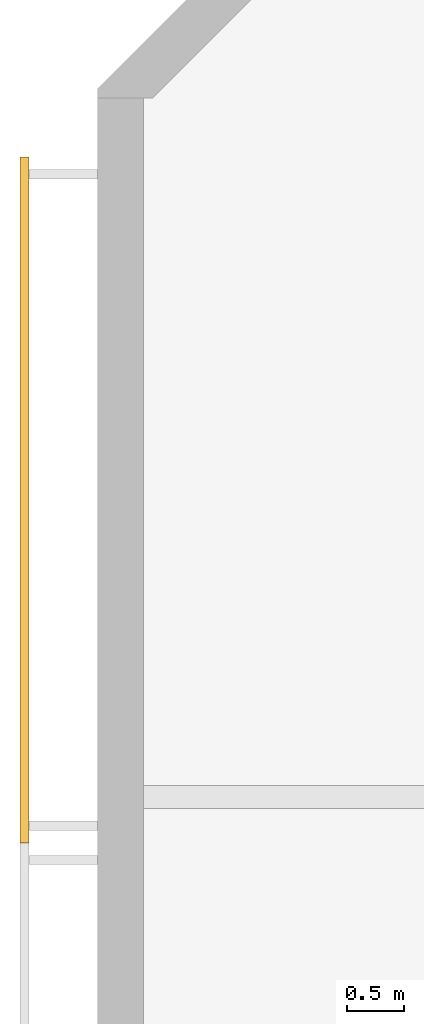
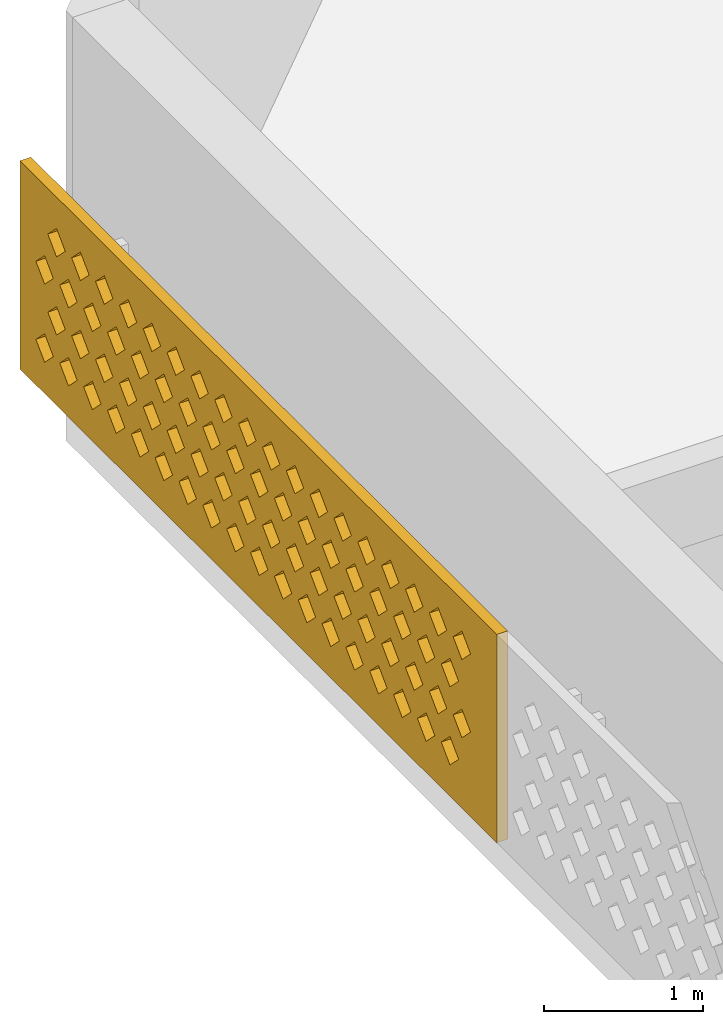
# One storey, part 12 of 18: 1 covering.
"""IFC4 building model written with IfcOpenShell, lengths in metres."""

from ifc_helpers import new_model, si_unit, direction, frame, origin, place, context, subcontext, project, spatial, polyline, outline, extrude, source, transform, mapped, material, material_profile, profile_set, type_object, element, save


model = new_model("IFC4")

# Units and contexts
model_context = context("Model", 3, precision=1e-05, world=origin(), true_north=direction((0.0, 1.0)))
body_context = subcontext(model_context, "Body", "Model", "MODEL_VIEW")
ifc_project = project(units=[si_unit("LENGTHUNIT", "METRE"), si_unit("AREAUNIT", "SQUARE_METRE"), si_unit("VOLUMEUNIT", "CUBIC_METRE"), si_unit("PLANEANGLEUNIT", "RADIAN"), si_unit("MASSUNIT", "GRAM", prefix="KILO")], contexts=[model_context])

# Site, building, storey
site_placement = place(None, origin())
site = spatial("IfcSite", under=ifc_project, at=site_placement, CompositionType="ELEMENT")
building_placement = place(site_placement, origin())
building = spatial("IfcBuilding", under=site, at=building_placement, Name="Poui Terraces", CompositionType="ELEMENT")
storey_placement = place(building_placement, frame((0.0, 0.0, 279.0)))
storey = spatial("IfcBuildingStorey", under=building, at=storey_placement, Name="L77 CROWN", CompositionType="ELEMENT", Elevation=279.0)

# Covering
ifc_material = material(Name="Terracotta screen", Category="masonry")
ifc_material_profile = material_profile(ifc_material, outline(polyline([(-3.0, -0.800048828125), (3.0, -0.800048828125), (3.0, 0.800048828125), (-3.0, 0.800048828125), (-3.0, -0.800048828125)]), holes=[polyline([(-2.800048828125, -0.449951171875), (-2.68994140625, -0.56005859375), (-2.580078125, -0.449951171875), (-2.68994140625, -0.340087890625), (-2.800048828125, -0.449951171875)]), polyline([(-2.5, -0.449951171875), (-2.389892578125, -0.56005859375), (-2.280029296875, -0.449951171875), (-2.389892578125, -0.340087890625), (-2.5, -0.449951171875)]), polyline([(-2.199951171875, -0.449951171875), (-2.090087890625, -0.56005859375), (-1.97998046875, -0.449951171875), (-2.090087890625, -0.340087890625), (-2.199951171875, -0.449951171875)]), polyline([(-1.89990234375, -0.449951171875), (-1.7900390625, -0.56005859375), (-1.679931640625, -0.449951171875), (-1.7900390625, -0.340087890625), (-1.89990234375, -0.449951171875)]), polyline([(-1.60009765625, -0.449951171875), (-1.489990234375, -0.56005859375), (-1.3798828125, -0.449951171875), (-1.489990234375, -0.340087890625), (-1.60009765625, -0.449951171875)]), polyline([(-1.300048828125, -0.449951171875), (-1.18994140625, -0.56005859375), (-1.080078125, -0.449951171875), (-1.18994140625, -0.340087890625), (-1.300048828125, -0.449951171875)]), polyline([(-1.0, -0.449951171875), (-0.889892578125, -0.56005859375), (-0.780029296875, -0.449951171875), (-0.889892578125, -0.340087890625), (-1.0, -0.449951171875)]), polyline([(-0.699951171875, -0.449951171875), (-0.590087890625, -0.56005859375), (-0.47998046875, -0.449951171875), (-0.590087890625, -0.340087890625), (-0.699951171875, -0.449951171875)]), polyline([(-0.39990234375, -0.449951171875), (-0.2900390625, -0.56005859375), (-0.179931640625, -0.449951171875), (-0.2900390625, -0.340087890625), (-0.39990234375, -0.449951171875)]), polyline([(-0.10009765625, -0.449951171875), (0.010009765625, -0.56005859375), (0.1201171875, -0.449951171875), (0.010009765625, -0.340087890625), (-0.10009765625, -0.449951171875)]), polyline([(0.199951171875, -0.449951171875), (0.31005859375, -0.56005859375), (0.419921875, -0.449951171875), (0.31005859375, -0.340087890625), (0.199951171875, -0.449951171875)]), polyline([(0.5, -0.449951171875), (0.610107421875, -0.56005859375), (0.719970703125, -0.449951171875), (0.610107421875, -0.340087890625), (0.5, -0.449951171875)]), polyline([(0.800048828125, -0.449951171875), (0.909912109375, -0.56005859375), (1.02001953125, -0.449951171875), (0.909912109375, -0.340087890625), (0.800048828125, -0.449951171875)]), polyline([(1.10009765625, -0.449951171875), (1.2099609375, -0.56005859375), (1.320068359375, -0.449951171875), (1.2099609375, -0.340087890625), (1.10009765625, -0.449951171875)]), polyline([(1.39990234375, -0.449951171875), (1.510009765625, -0.56005859375), (1.6201171875, -0.449951171875), (1.510009765625, -0.340087890625), (1.39990234375, -0.449951171875)]), polyline([(1.699951171875, -0.449951171875), (1.81005859375, -0.56005859375), (1.919921875, -0.449951171875), (1.81005859375, -0.340087890625), (1.699951171875, -0.449951171875)]), polyline([(2.0, -0.449951171875), (2.110107421875, -0.56005859375), (2.219970703125, -0.449951171875), (2.110107421875, -0.340087890625), (2.0, -0.449951171875)]), polyline([(2.300048828125, -0.449951171875), (2.409912109375, -0.56005859375), (2.52001953125, -0.449951171875), (2.409912109375, -0.340087890625), (2.300048828125, -0.449951171875)]), polyline([(-2.64990234375, -0.14990234375), (-2.5400390625, -0.260009765625), (-2.429931640625, -0.14990234375), (-2.5400390625, -0.0400390625), (-2.64990234375, -0.14990234375)]), polyline([(-2.35009765625, -0.14990234375), (-2.239990234375, -0.260009765625), (-2.1298828125, -0.14990234375), (-2.239990234375, -0.0400390625), (-2.35009765625, -0.14990234375)]), polyline([(-2.050048828125, -0.14990234375), (-1.93994140625, -0.260009765625), (-1.830078125, -0.14990234375), (-1.93994140625, -0.0400390625), (-2.050048828125, -0.14990234375)]), polyline([(-1.75, -0.14990234375), (-1.639892578125, -0.260009765625), (-1.530029296875, -0.14990234375), (-1.639892578125, -0.0400390625), (-1.75, -0.14990234375)]), polyline([(-1.449951171875, -0.14990234375), (-1.340087890625, -0.260009765625), (-1.22998046875, -0.14990234375), (-1.340087890625, -0.0400390625), (-1.449951171875, -0.14990234375)]), polyline([(-1.14990234375, -0.14990234375), (-1.0400390625, -0.260009765625), (-0.929931640625, -0.14990234375), (-1.0400390625, -0.0400390625), (-1.14990234375, -0.14990234375)]), polyline([(-0.85009765625, -0.14990234375), (-0.739990234375, -0.260009765625), (-0.6298828125, -0.14990234375), (-0.739990234375, -0.0400390625), (-0.85009765625, -0.14990234375)]), polyline([(-0.550048828125, -0.14990234375), (-0.43994140625, -0.260009765625), (-0.330078125, -0.14990234375), (-0.43994140625, -0.0400390625), (-0.550048828125, -0.14990234375)]), polyline([(-0.25, -0.14990234375), (-0.139892578125, -0.260009765625), (-0.030029296875, -0.14990234375), (-0.139892578125, -0.0400390625), (-0.25, -0.14990234375)]), polyline([(0.050048828125, -0.14990234375), (0.159912109375, -0.260009765625), (0.27001953125, -0.14990234375), (0.159912109375, -0.0400390625), (0.050048828125, -0.14990234375)]), polyline([(0.35009765625, -0.14990234375), (0.4599609375, -0.260009765625), (0.570068359375, -0.14990234375), (0.4599609375, -0.0400390625), (0.35009765625, -0.14990234375)]), polyline([(0.64990234375, -0.14990234375), (0.760009765625, -0.260009765625), (0.8701171875, -0.14990234375), (0.760009765625, -0.0400390625), (0.64990234375, -0.14990234375)]), polyline([(0.949951171875, -0.14990234375), (1.06005859375, -0.260009765625), (1.169921875, -0.14990234375), (1.06005859375, -0.0400390625), (0.949951171875, -0.14990234375)]), polyline([(1.25, -0.14990234375), (1.360107421875, -0.260009765625), (1.469970703125, -0.14990234375), (1.360107421875, -0.0400390625), (1.25, -0.14990234375)]), polyline([(1.550048828125, -0.14990234375), (1.659912109375, -0.260009765625), (1.77001953125, -0.14990234375), (1.659912109375, -0.0400390625), (1.550048828125, -0.14990234375)]), polyline([(1.85009765625, -0.14990234375), (1.9599609375, -0.260009765625), (2.070068359375, -0.14990234375), (1.9599609375, -0.0400390625), (1.85009765625, -0.14990234375)]), polyline([(2.14990234375, -0.14990234375), (2.260009765625, -0.260009765625), (2.3701171875, -0.14990234375), (2.260009765625, -0.0400390625), (2.14990234375, -0.14990234375)]), polyline([(2.449951171875, -0.14990234375), (2.56005859375, -0.260009765625), (2.669921875, -0.14990234375), (2.56005859375, -0.0400390625), (2.449951171875, -0.14990234375)]), polyline([(-2.800048828125, 0.14990234375), (-2.68994140625, 0.0400390625), (-2.580078125, 0.14990234375), (-2.68994140625, 0.260009765625), (-2.800048828125, 0.14990234375)]), polyline([(-2.5, 0.14990234375), (-2.389892578125, 0.0400390625), (-2.280029296875, 0.14990234375), (-2.389892578125, 0.260009765625), (-2.5, 0.14990234375)]), polyline([(-2.199951171875, 0.14990234375), (-2.090087890625, 0.0400390625), (-1.97998046875, 0.14990234375), (-2.090087890625, 0.260009765625), (-2.199951171875, 0.14990234375)]), polyline([(-1.89990234375, 0.14990234375), (-1.7900390625, 0.0400390625), (-1.679931640625, 0.14990234375), (-1.7900390625, 0.260009765625), (-1.89990234375, 0.14990234375)]), polyline([(-1.60009765625, 0.14990234375), (-1.489990234375, 0.0400390625), (-1.3798828125, 0.14990234375), (-1.489990234375, 0.260009765625), (-1.60009765625, 0.14990234375)]), polyline([(-1.300048828125, 0.14990234375), (-1.18994140625, 0.0400390625), (-1.080078125, 0.14990234375), (-1.18994140625, 0.260009765625), (-1.300048828125, 0.14990234375)]), polyline([(-1.0, 0.14990234375), (-0.889892578125, 0.0400390625), (-0.780029296875, 0.14990234375), (-0.889892578125, 0.260009765625), (-1.0, 0.14990234375)]), polyline([(-0.699951171875, 0.14990234375), (-0.590087890625, 0.0400390625), (-0.47998046875, 0.14990234375), (-0.590087890625, 0.260009765625), (-0.699951171875, 0.14990234375)]), polyline([(-0.39990234375, 0.14990234375), (-0.2900390625, 0.0400390625), (-0.179931640625, 0.14990234375), (-0.2900390625, 0.260009765625), (-0.39990234375, 0.14990234375)]), polyline([(-0.10009765625, 0.14990234375), (0.010009765625, 0.0400390625), (0.1201171875, 0.14990234375), (0.010009765625, 0.260009765625), (-0.10009765625, 0.14990234375)]), polyline([(0.199951171875, 0.14990234375), (0.31005859375, 0.0400390625), (0.419921875, 0.14990234375), (0.31005859375, 0.260009765625), (0.199951171875, 0.14990234375)]), polyline([(0.5, 0.14990234375), (0.610107421875, 0.0400390625), (0.719970703125, 0.14990234375), (0.610107421875, 0.260009765625), (0.5, 0.14990234375)]), polyline([(0.800048828125, 0.14990234375), (0.909912109375, 0.0400390625), (1.02001953125, 0.14990234375), (0.909912109375, 0.260009765625), (0.800048828125, 0.14990234375)]), polyline([(1.10009765625, 0.14990234375), (1.2099609375, 0.0400390625), (1.320068359375, 0.14990234375), (1.2099609375, 0.260009765625), (1.10009765625, 0.14990234375)]), polyline([(1.39990234375, 0.14990234375), (1.510009765625, 0.0400390625), (1.6201171875, 0.14990234375), (1.510009765625, 0.260009765625), (1.39990234375, 0.14990234375)]), polyline([(1.699951171875, 0.14990234375), (1.81005859375, 0.0400390625), (1.919921875, 0.14990234375), (1.81005859375, 0.260009765625), (1.699951171875, 0.14990234375)]), polyline([(2.0, 0.14990234375), (2.110107421875, 0.0400390625), (2.219970703125, 0.14990234375), (2.110107421875, 0.260009765625), (2.0, 0.14990234375)]), polyline([(2.300048828125, 0.14990234375), (2.409912109375, 0.0400390625), (2.52001953125, 0.14990234375), (2.409912109375, 0.260009765625), (2.300048828125, 0.14990234375)]), polyline([(-2.64990234375, 0.449951171875), (-2.5400390625, 0.340087890625), (-2.429931640625, 0.449951171875), (-2.5400390625, 0.56005859375), (-2.64990234375, 0.449951171875)]), polyline([(-2.35009765625, 0.449951171875), (-2.239990234375, 0.340087890625), (-2.1298828125, 0.449951171875), (-2.239990234375, 0.56005859375), (-2.35009765625, 0.449951171875)]), polyline([(-2.050048828125, 0.449951171875), (-1.93994140625, 0.340087890625), (-1.830078125, 0.449951171875), (-1.93994140625, 0.56005859375), (-2.050048828125, 0.449951171875)]), polyline([(-1.75, 0.449951171875), (-1.639892578125, 0.340087890625), (-1.530029296875, 0.449951171875), (-1.639892578125, 0.56005859375), (-1.75, 0.449951171875)]), polyline([(-1.449951171875, 0.449951171875), (-1.340087890625, 0.340087890625), (-1.22998046875, 0.449951171875), (-1.340087890625, 0.56005859375), (-1.449951171875, 0.449951171875)]), polyline([(-1.14990234375, 0.449951171875), (-1.0400390625, 0.340087890625), (-0.929931640625, 0.449951171875), (-1.0400390625, 0.56005859375), (-1.14990234375, 0.449951171875)]), polyline([(-0.85009765625, 0.449951171875), (-0.739990234375, 0.340087890625), (-0.6298828125, 0.449951171875), (-0.739990234375, 0.56005859375), (-0.85009765625, 0.449951171875)]), polyline([(-0.550048828125, 0.449951171875), (-0.43994140625, 0.340087890625), (-0.330078125, 0.449951171875), (-0.43994140625, 0.56005859375), (-0.550048828125, 0.449951171875)]), polyline([(-0.25, 0.449951171875), (-0.139892578125, 0.340087890625), (-0.030029296875, 0.449951171875), (-0.139892578125, 0.56005859375), (-0.25, 0.449951171875)]), polyline([(0.050048828125, 0.449951171875), (0.159912109375, 0.340087890625), (0.27001953125, 0.449951171875), (0.159912109375, 0.56005859375), (0.050048828125, 0.449951171875)]), polyline([(0.35009765625, 0.449951171875), (0.4599609375, 0.340087890625), (0.570068359375, 0.449951171875), (0.4599609375, 0.56005859375), (0.35009765625, 0.449951171875)]), polyline([(0.64990234375, 0.449951171875), (0.760009765625, 0.340087890625), (0.8701171875, 0.449951171875), (0.760009765625, 0.56005859375), (0.64990234375, 0.449951171875)]), polyline([(0.949951171875, 0.449951171875), (1.06005859375, 0.340087890625), (1.169921875, 0.449951171875), (1.06005859375, 0.56005859375), (0.949951171875, 0.449951171875)]), polyline([(1.25, 0.449951171875), (1.360107421875, 0.340087890625), (1.469970703125, 0.449951171875), (1.360107421875, 0.56005859375), (1.25, 0.449951171875)]), polyline([(1.550048828125, 0.449951171875), (1.659912109375, 0.340087890625), (1.77001953125, 0.449951171875), (1.659912109375, 0.56005859375), (1.550048828125, 0.449951171875)]), polyline([(1.85009765625, 0.449951171875), (1.9599609375, 0.340087890625), (2.070068359375, 0.449951171875), (1.9599609375, 0.56005859375), (1.85009765625, 0.449951171875)]), polyline([(2.14990234375, 0.449951171875), (2.260009765625, 0.340087890625), (2.3701171875, 0.449951171875), (2.260009765625, 0.56005859375), (2.14990234375, 0.449951171875)]), polyline([(2.449951171875, 0.449951171875), (2.56005859375, 0.340087890625), (2.669921875, 0.449951171875), (2.56005859375, 0.56005859375), (2.449951171875, 0.449951171875)])]), Name="TERRACOTTA SOLAR SCREEN 6000X1600")
ifc_profile_set = profile_set([ifc_material_profile], Name="Terracotta screen")
covering_type = type_object("IfcCoveringType", Name="TERRACOTTA SOLAR SCREEN 6000X1600", PredefinedType="CLADDING", material=ifc_profile_set)
shared_shape = source(origin(), body_context, "Body", "SweptSolid", [
    extrude(outline(polyline([(-3.0, -0.800048828125), (3.0, -0.800048828125), (3.0, 0.800048828125), (-3.0, 0.800048828125), (-3.0, -0.800048828125)]), holes=[polyline([(-2.800048828125, -0.449951171875), (-2.68994140625, -0.56005859375), (-2.580078125, -0.449951171875), (-2.68994140625, -0.340087890625), (-2.800048828125, -0.449951171875)]), polyline([(-2.5, -0.449951171875), (-2.389892578125, -0.56005859375), (-2.280029296875, -0.449951171875), (-2.389892578125, -0.340087890625), (-2.5, -0.449951171875)]), polyline([(-2.199951171875, -0.449951171875), (-2.090087890625, -0.56005859375), (-1.97998046875, -0.449951171875), (-2.090087890625, -0.340087890625), (-2.199951171875, -0.449951171875)]), polyline([(-1.89990234375, -0.449951171875), (-1.7900390625, -0.56005859375), (-1.679931640625, -0.449951171875), (-1.7900390625, -0.340087890625), (-1.89990234375, -0.449951171875)]), polyline([(-1.60009765625, -0.449951171875), (-1.489990234375, -0.56005859375), (-1.3798828125, -0.449951171875), (-1.489990234375, -0.340087890625), (-1.60009765625, -0.449951171875)]), polyline([(-1.300048828125, -0.449951171875), (-1.18994140625, -0.56005859375), (-1.080078125, -0.449951171875), (-1.18994140625, -0.340087890625), (-1.300048828125, -0.449951171875)]), polyline([(-1.0, -0.449951171875), (-0.889892578125, -0.56005859375), (-0.780029296875, -0.449951171875), (-0.889892578125, -0.340087890625), (-1.0, -0.449951171875)]), polyline([(-0.699951171875, -0.449951171875), (-0.590087890625, -0.56005859375), (-0.47998046875, -0.449951171875), (-0.590087890625, -0.340087890625), (-0.699951171875, -0.449951171875)]), polyline([(-0.39990234375, -0.449951171875), (-0.2900390625, -0.56005859375), (-0.179931640625, -0.449951171875), (-0.2900390625, -0.340087890625), (-0.39990234375, -0.449951171875)]), polyline([(-0.10009765625, -0.449951171875), (0.010009765625, -0.56005859375), (0.1201171875, -0.449951171875), (0.010009765625, -0.340087890625), (-0.10009765625, -0.449951171875)]), polyline([(0.199951171875, -0.449951171875), (0.31005859375, -0.56005859375), (0.419921875, -0.449951171875), (0.31005859375, -0.340087890625), (0.199951171875, -0.449951171875)]), polyline([(0.5, -0.449951171875), (0.610107421875, -0.56005859375), (0.719970703125, -0.449951171875), (0.610107421875, -0.340087890625), (0.5, -0.449951171875)]), polyline([(0.800048828125, -0.449951171875), (0.909912109375, -0.56005859375), (1.02001953125, -0.449951171875), (0.909912109375, -0.340087890625), (0.800048828125, -0.449951171875)]), polyline([(1.10009765625, -0.449951171875), (1.2099609375, -0.56005859375), (1.320068359375, -0.449951171875), (1.2099609375, -0.340087890625), (1.10009765625, -0.449951171875)]), polyline([(1.39990234375, -0.449951171875), (1.510009765625, -0.56005859375), (1.6201171875, -0.449951171875), (1.510009765625, -0.340087890625), (1.39990234375, -0.449951171875)]), polyline([(1.699951171875, -0.449951171875), (1.81005859375, -0.56005859375), (1.919921875, -0.449951171875), (1.81005859375, -0.340087890625), (1.699951171875, -0.449951171875)]), polyline([(2.0, -0.449951171875), (2.110107421875, -0.56005859375), (2.219970703125, -0.449951171875), (2.110107421875, -0.340087890625), (2.0, -0.449951171875)]), polyline([(2.300048828125, -0.449951171875), (2.409912109375, -0.56005859375), (2.52001953125, -0.449951171875), (2.409912109375, -0.340087890625), (2.300048828125, -0.449951171875)]), polyline([(-2.64990234375, -0.14990234375), (-2.5400390625, -0.260009765625), (-2.429931640625, -0.14990234375), (-2.5400390625, -0.0400390625), (-2.64990234375, -0.14990234375)]), polyline([(-2.35009765625, -0.14990234375), (-2.239990234375, -0.260009765625), (-2.1298828125, -0.14990234375), (-2.239990234375, -0.0400390625), (-2.35009765625, -0.14990234375)]), polyline([(-2.050048828125, -0.14990234375), (-1.93994140625, -0.260009765625), (-1.830078125, -0.14990234375), (-1.93994140625, -0.0400390625), (-2.050048828125, -0.14990234375)]), polyline([(-1.75, -0.14990234375), (-1.639892578125, -0.260009765625), (-1.530029296875, -0.14990234375), (-1.639892578125, -0.0400390625), (-1.75, -0.14990234375)]), polyline([(-1.449951171875, -0.14990234375), (-1.340087890625, -0.260009765625), (-1.22998046875, -0.14990234375), (-1.340087890625, -0.0400390625), (-1.449951171875, -0.14990234375)]), polyline([(-1.14990234375, -0.14990234375), (-1.0400390625, -0.260009765625), (-0.929931640625, -0.14990234375), (-1.0400390625, -0.0400390625), (-1.14990234375, -0.14990234375)]), polyline([(-0.85009765625, -0.14990234375), (-0.739990234375, -0.260009765625), (-0.6298828125, -0.14990234375), (-0.739990234375, -0.0400390625), (-0.85009765625, -0.14990234375)]), polyline([(-0.550048828125, -0.14990234375), (-0.43994140625, -0.260009765625), (-0.330078125, -0.14990234375), (-0.43994140625, -0.0400390625), (-0.550048828125, -0.14990234375)]), polyline([(-0.25, -0.14990234375), (-0.139892578125, -0.260009765625), (-0.030029296875, -0.14990234375), (-0.139892578125, -0.0400390625), (-0.25, -0.14990234375)]), polyline([(0.050048828125, -0.14990234375), (0.159912109375, -0.260009765625), (0.27001953125, -0.14990234375), (0.159912109375, -0.0400390625), (0.050048828125, -0.14990234375)]), polyline([(0.35009765625, -0.14990234375), (0.4599609375, -0.260009765625), (0.570068359375, -0.14990234375), (0.4599609375, -0.0400390625), (0.35009765625, -0.14990234375)]), polyline([(0.64990234375, -0.14990234375), (0.760009765625, -0.260009765625), (0.8701171875, -0.14990234375), (0.760009765625, -0.0400390625), (0.64990234375, -0.14990234375)]), polyline([(0.949951171875, -0.14990234375), (1.06005859375, -0.260009765625), (1.169921875, -0.14990234375), (1.06005859375, -0.0400390625), (0.949951171875, -0.14990234375)]), polyline([(1.25, -0.14990234375), (1.360107421875, -0.260009765625), (1.469970703125, -0.14990234375), (1.360107421875, -0.0400390625), (1.25, -0.14990234375)]), polyline([(1.550048828125, -0.14990234375), (1.659912109375, -0.260009765625), (1.77001953125, -0.14990234375), (1.659912109375, -0.0400390625), (1.550048828125, -0.14990234375)]), polyline([(1.85009765625, -0.14990234375), (1.9599609375, -0.260009765625), (2.070068359375, -0.14990234375), (1.9599609375, -0.0400390625), (1.85009765625, -0.14990234375)]), polyline([(2.14990234375, -0.14990234375), (2.260009765625, -0.260009765625), (2.3701171875, -0.14990234375), (2.260009765625, -0.0400390625), (2.14990234375, -0.14990234375)]), polyline([(2.449951171875, -0.14990234375), (2.56005859375, -0.260009765625), (2.669921875, -0.14990234375), (2.56005859375, -0.0400390625), (2.449951171875, -0.14990234375)]), polyline([(-2.800048828125, 0.14990234375), (-2.68994140625, 0.0400390625), (-2.580078125, 0.14990234375), (-2.68994140625, 0.260009765625), (-2.800048828125, 0.14990234375)]), polyline([(-2.5, 0.14990234375), (-2.389892578125, 0.0400390625), (-2.280029296875, 0.14990234375), (-2.389892578125, 0.260009765625), (-2.5, 0.14990234375)]), polyline([(-2.199951171875, 0.14990234375), (-2.090087890625, 0.0400390625), (-1.97998046875, 0.14990234375), (-2.090087890625, 0.260009765625), (-2.199951171875, 0.14990234375)]), polyline([(-1.89990234375, 0.14990234375), (-1.7900390625, 0.0400390625), (-1.679931640625, 0.14990234375), (-1.7900390625, 0.260009765625), (-1.89990234375, 0.14990234375)]), polyline([(-1.60009765625, 0.14990234375), (-1.489990234375, 0.0400390625), (-1.3798828125, 0.14990234375), (-1.489990234375, 0.260009765625), (-1.60009765625, 0.14990234375)]), polyline([(-1.300048828125, 0.14990234375), (-1.18994140625, 0.0400390625), (-1.080078125, 0.14990234375), (-1.18994140625, 0.260009765625), (-1.300048828125, 0.14990234375)]), polyline([(-1.0, 0.14990234375), (-0.889892578125, 0.0400390625), (-0.780029296875, 0.14990234375), (-0.889892578125, 0.260009765625), (-1.0, 0.14990234375)]), polyline([(-0.699951171875, 0.14990234375), (-0.590087890625, 0.0400390625), (-0.47998046875, 0.14990234375), (-0.590087890625, 0.260009765625), (-0.699951171875, 0.14990234375)]), polyline([(-0.39990234375, 0.14990234375), (-0.2900390625, 0.0400390625), (-0.179931640625, 0.14990234375), (-0.2900390625, 0.260009765625), (-0.39990234375, 0.14990234375)]), polyline([(-0.10009765625, 0.14990234375), (0.010009765625, 0.0400390625), (0.1201171875, 0.14990234375), (0.010009765625, 0.260009765625), (-0.10009765625, 0.14990234375)]), polyline([(0.199951171875, 0.14990234375), (0.31005859375, 0.0400390625), (0.419921875, 0.14990234375), (0.31005859375, 0.260009765625), (0.199951171875, 0.14990234375)]), polyline([(0.5, 0.14990234375), (0.610107421875, 0.0400390625), (0.719970703125, 0.14990234375), (0.610107421875, 0.260009765625), (0.5, 0.14990234375)]), polyline([(0.800048828125, 0.14990234375), (0.909912109375, 0.0400390625), (1.02001953125, 0.14990234375), (0.909912109375, 0.260009765625), (0.800048828125, 0.14990234375)]), polyline([(1.10009765625, 0.14990234375), (1.2099609375, 0.0400390625), (1.320068359375, 0.14990234375), (1.2099609375, 0.260009765625), (1.10009765625, 0.14990234375)]), polyline([(1.39990234375, 0.14990234375), (1.510009765625, 0.0400390625), (1.6201171875, 0.14990234375), (1.510009765625, 0.260009765625), (1.39990234375, 0.14990234375)]), polyline([(1.699951171875, 0.14990234375), (1.81005859375, 0.0400390625), (1.919921875, 0.14990234375), (1.81005859375, 0.260009765625), (1.699951171875, 0.14990234375)]), polyline([(2.0, 0.14990234375), (2.110107421875, 0.0400390625), (2.219970703125, 0.14990234375), (2.110107421875, 0.260009765625), (2.0, 0.14990234375)]), polyline([(2.300048828125, 0.14990234375), (2.409912109375, 0.0400390625), (2.52001953125, 0.14990234375), (2.409912109375, 0.260009765625), (2.300048828125, 0.14990234375)]), polyline([(-2.64990234375, 0.449951171875), (-2.5400390625, 0.340087890625), (-2.429931640625, 0.449951171875), (-2.5400390625, 0.56005859375), (-2.64990234375, 0.449951171875)]), polyline([(-2.35009765625, 0.449951171875), (-2.239990234375, 0.340087890625), (-2.1298828125, 0.449951171875), (-2.239990234375, 0.56005859375), (-2.35009765625, 0.449951171875)]), polyline([(-2.050048828125, 0.449951171875), (-1.93994140625, 0.340087890625), (-1.830078125, 0.449951171875), (-1.93994140625, 0.56005859375), (-2.050048828125, 0.449951171875)]), polyline([(-1.75, 0.449951171875), (-1.639892578125, 0.340087890625), (-1.530029296875, 0.449951171875), (-1.639892578125, 0.56005859375), (-1.75, 0.449951171875)]), polyline([(-1.449951171875, 0.449951171875), (-1.340087890625, 0.340087890625), (-1.22998046875, 0.449951171875), (-1.340087890625, 0.56005859375), (-1.449951171875, 0.449951171875)]), polyline([(-1.14990234375, 0.449951171875), (-1.0400390625, 0.340087890625), (-0.929931640625, 0.449951171875), (-1.0400390625, 0.56005859375), (-1.14990234375, 0.449951171875)]), polyline([(-0.85009765625, 0.449951171875), (-0.739990234375, 0.340087890625), (-0.6298828125, 0.449951171875), (-0.739990234375, 0.56005859375), (-0.85009765625, 0.449951171875)]), polyline([(-0.550048828125, 0.449951171875), (-0.43994140625, 0.340087890625), (-0.330078125, 0.449951171875), (-0.43994140625, 0.56005859375), (-0.550048828125, 0.449951171875)]), polyline([(-0.25, 0.449951171875), (-0.139892578125, 0.340087890625), (-0.030029296875, 0.449951171875), (-0.139892578125, 0.56005859375), (-0.25, 0.449951171875)]), polyline([(0.050048828125, 0.449951171875), (0.159912109375, 0.340087890625), (0.27001953125, 0.449951171875), (0.159912109375, 0.56005859375), (0.050048828125, 0.449951171875)]), polyline([(0.35009765625, 0.449951171875), (0.4599609375, 0.340087890625), (0.570068359375, 0.449951171875), (0.4599609375, 0.56005859375), (0.35009765625, 0.449951171875)]), polyline([(0.64990234375, 0.449951171875), (0.760009765625, 0.340087890625), (0.8701171875, 0.449951171875), (0.760009765625, 0.56005859375), (0.64990234375, 0.449951171875)]), polyline([(0.949951171875, 0.449951171875), (1.06005859375, 0.340087890625), (1.169921875, 0.449951171875), (1.06005859375, 0.56005859375), (0.949951171875, 0.449951171875)]), polyline([(1.25, 0.449951171875), (1.360107421875, 0.340087890625), (1.469970703125, 0.449951171875), (1.360107421875, 0.56005859375), (1.25, 0.449951171875)]), polyline([(1.550048828125, 0.449951171875), (1.659912109375, 0.340087890625), (1.77001953125, 0.449951171875), (1.659912109375, 0.56005859375), (1.550048828125, 0.449951171875)]), polyline([(1.85009765625, 0.449951171875), (1.9599609375, 0.340087890625), (2.070068359375, 0.449951171875), (1.9599609375, 0.56005859375), (1.85009765625, 0.449951171875)]), polyline([(2.14990234375, 0.449951171875), (2.260009765625, 0.340087890625), (2.3701171875, 0.449951171875), (2.260009765625, 0.56005859375), (2.14990234375, 0.449951171875)]), polyline([(2.449951171875, 0.449951171875), (2.56005859375, 0.340087890625), (2.669921875, 0.449951171875), (2.56005859375, 0.56005859375), (2.449951171875, 0.449951171875)])]), origin(), (0.0, 0.0, 1.0), 0.079833984375),
])
covering_placement = place(storey_placement, frame((17.199951171875, 33.0, 1.699951171875), z_axis=(-1.0, 0.0, 0.0), x_axis=(0.0, -1.0, 0.0)))
element("IfcCovering", 1, at=covering_placement, inside=storey, type_object=covering_type, Name="SOLAR SCREEN", PredefinedType="CLADDING", context=body_context, shape_type="MappedRepresentation", body=[
    mapped(shared_shape, transform((0.0, 0.0, 0.0))),
])

save(model, "model.ifc")
